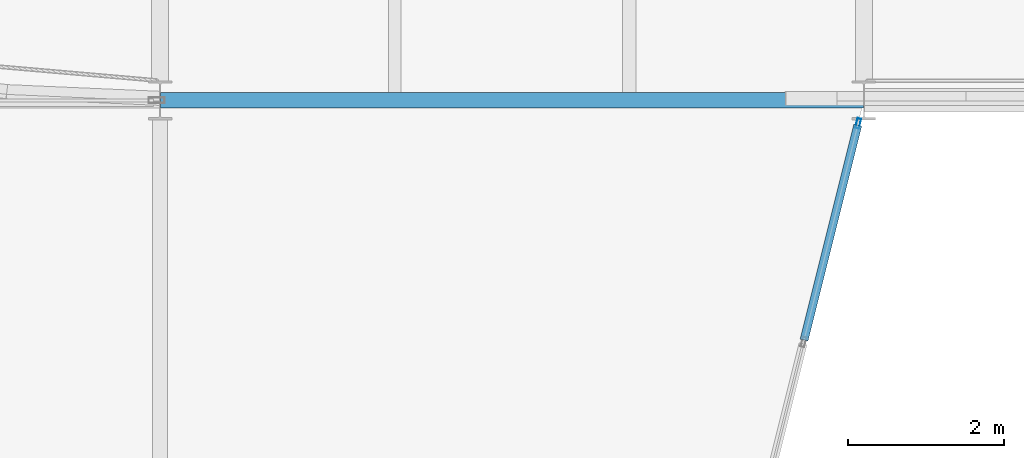
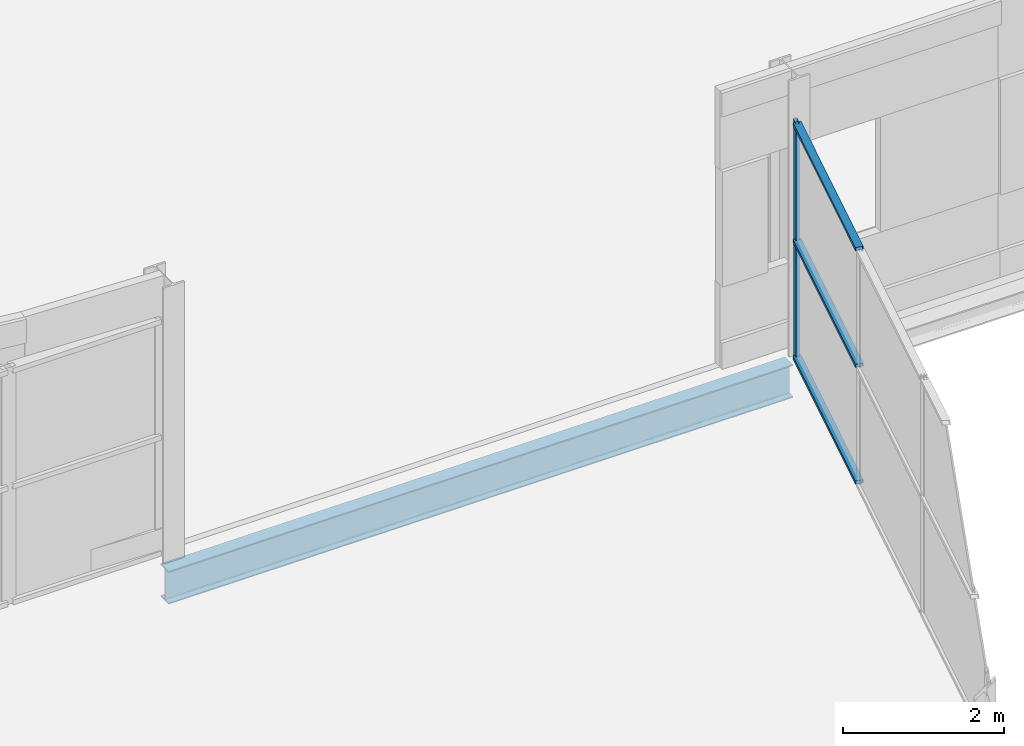
# One storey, part 73 of 132: 4 members, 1 beam, 1 element without a shape of its own.
"""IFC4 building model written with IfcOpenShell, lengths in metres."""

from ifc_helpers import new_model, si_unit, direction, frame, origin, origin_2d, place, context, subcontext, project, spatial, hollow_rectangle, i_section, extrude, material, layer, layer_set, material_profile, profile_set, type_object, element, aggregate, save


model = new_model("IFC4")

# Units and contexts
model_context = context("Model", 3, precision=1e-05, world=origin(), true_north=direction((0.0, 1.0)))
body_context = subcontext(model_context, "Body", "Model", "MODEL_VIEW")
ifc_project = project(units=[si_unit("LENGTHUNIT", "METRE"), si_unit("AREAUNIT", "SQUARE_METRE"), si_unit("VOLUMEUNIT", "CUBIC_METRE"), si_unit("PLANEANGLEUNIT", "RADIAN"), si_unit("MASSUNIT", "GRAM", prefix="KILO")], contexts=[model_context])

# Site, building, storey
site_placement = place(None, origin())
site = spatial("IfcSite", under=ifc_project, at=site_placement, CompositionType="ELEMENT")
building_placement = place(site_placement, origin())
building = spatial("IfcBuilding", under=site, at=building_placement, Name="Deido Ridge Mobility Hub", CompositionType="ELEMENT")
storey_placement = place(building_placement, frame((0.0, 0.0, 8.39990234375)))
storey = spatial("IfcBuildingStorey", under=building, at=storey_placement, Name="L02", CompositionType="ELEMENT", Elevation=8.39990234375)

# Beam
ifc_material_1 = material(Name="Steel S355J2 EN 10025-2", Category="steel")
ifc_material_profile_1 = material_profile(ifc_material_1, i_section(OverallWidth=0.199951171875, OverallDepth=0.5, WebThickness=0.01025390625, FlangeThickness=0.01611328125, FilletRadius=0.02099609375, at=origin_2d()), Name="IPE 500")
ifc_profile_set_1 = profile_set([ifc_material_profile_1], Name="Steel S355J2 EN 10025-2")
beam_type = type_object("IfcBeamType", Name="BM-IPE500", PredefinedType="BEAM", material=ifc_profile_set_1)
beam_placement = place(storey_placement, frame((45.007080078125, 81.0, -0.5048828125), z_axis=(1.0, 0.0, 0.0), x_axis=(0.0, 1.0, 0.0)))
element("IfcBeam", 1, at=beam_placement, inside=storey, type_object=beam_type, Name="Floor beam B3", PredefinedType="BEAM", context=body_context, shape_type="SweptSolid", body=[
    extrude(i_section(OverallWidth=0.199951171875, OverallDepth=0.5, WebThickness=0.01025390625, FlangeThickness=0.01611328125, FilletRadius=0.02099609375, at=origin_2d()), origin(), (0.0, 0.0, 1.0), 8.98583984375),
])

# Curtain wall, members
ifc_material_2 = material(Name="Anodised aluminium EN AW-6063 T6", Category="aluminium")
ifc_layer = layer(ifc_material_2, 0.27001953125, Name="Anodised aluminium EN AW-6063 T6")
ifc_layer_set = layer_set([ifc_layer], Name="Anodised aluminium EN AW-6063 T6")
curtain_wall_type = type_object("IfcCurtainWallType", Name="CW-UF-8", PredefinedType="USERDEFINED", material=ifc_layer_set)
curtain_wall_placement = place(storey_placement, origin())
curtain_wall = element("IfcCurtainWall", 2, at=curtain_wall_placement, inside=storey, type_object=curtain_wall_type, Name="Unitised curtain wall CW8", ObjectType="UNITISED FACADE", PredefinedType="USERDEFINED")
ifc_material_profile_2 = material_profile(ifc_material_2, hollow_rectangle(XDim=0.050048828125, YDim=0.1298828125, WallThickness=0.00390625, at=origin_2d()), Name="RHS 50x130x4")
ifc_profile_set_2 = profile_set([ifc_material_profile_2], Name="Anodised aluminium EN AW-6063 T6")
member_type_1 = type_object("IfcMemberType", Name="MEM-MUL-50X130", PredefinedType="MULLION", material=ifc_profile_set_2)
member_1_placement = place(storey_placement, frame((53.92626953125, 80.705078125, 0.0), z_axis=(0.0, 0.0, 1.0), x_axis=(-0.970139801497, 0.242546419373, 0.0)))
member_1 = element("IfcMember", 3, at=member_1_placement, type_object=member_type_1, Name="CW8 mullion 4", PredefinedType="MULLION", context=body_context, shape_type="SweptSolid", body=[
    extrude(hollow_rectangle(XDim=0.050048828125, YDim=0.1298828125, WallThickness=0.00390625, at=origin_2d()), origin(), (0.0, 0.0, 1.0), 3.60009765625),
])
ifc_material_profile_3 = material_profile(ifc_material_2, hollow_rectangle(XDim=0.10498046875, YDim=0.050048828125, WallThickness=0.00390625, at=origin_2d()), Name="RHS 105x50x4")
ifc_profile_set_3 = profile_set([ifc_material_profile_3], Name="Anodised aluminium EN AW-6063 T6")
member_type_2 = type_object("IfcMemberType", Name="MEM-TRN-105X50", PredefinedType="USERDEFINED", material=ifc_profile_set_3)
member_2_placement = place(storey_placement, frame((53.233642578125, 77.93408203125, 0.025146484375), z_axis=(0.242474757328, 0.970157715044, 0.0), x_axis=(-0.970157715044, 0.242474757328, 0.0)))
member_2 = element("IfcMember", 4, at=member_2_placement, type_object=member_type_2, Name="CW8 transom 3.1", ObjectType="TRANSOM", PredefinedType="USERDEFINED", context=body_context, shape_type="SweptSolid", body=[
    extrude(hollow_rectangle(XDim=0.10498046875, YDim=0.050048828125, WallThickness=0.00390625, at=origin_2d()), origin(), (0.0, 0.0, 1.0), 2.831298828125),
])
member_3_placement = place(storey_placement, frame((53.233642578125, 77.93408203125, 1.800048828125), z_axis=(0.242474757328, 0.970157715044, 0.0), x_axis=(-0.970157715044, 0.242474757328, 0.0)))
member_3 = element("IfcMember", 5, at=member_3_placement, type_object=member_type_2, Name="CW8 transom 3.2", ObjectType="TRANSOM", PredefinedType="USERDEFINED", context=body_context, shape_type="SweptSolid", body=[
    extrude(hollow_rectangle(XDim=0.10498046875, YDim=0.050048828125, WallThickness=0.00390625, at=origin_2d()), origin(), (0.0, 0.0, 1.0), 2.831298828125),
])
member_4_placement = place(storey_placement, frame((53.233642578125, 77.93408203125, 3.5751953125), z_axis=(0.242474757328, 0.970157715044, 0.0), x_axis=(-0.970157715044, 0.242474757328, 0.0)))
member_4 = element("IfcMember", 6, at=member_4_placement, type_object=member_type_2, Name="CW8 transom 3.3", ObjectType="TRANSOM", PredefinedType="USERDEFINED", context=body_context, shape_type="SweptSolid", body=[
    extrude(hollow_rectangle(XDim=0.10498046875, YDim=0.050048828125, WallThickness=0.00390625, at=origin_2d()), origin(), (0.0, 0.0, 1.0), 2.831298828125),
])
aggregate(curtain_wall, [member_1, member_2, member_3, member_4])

save(model, "model.ifc")
